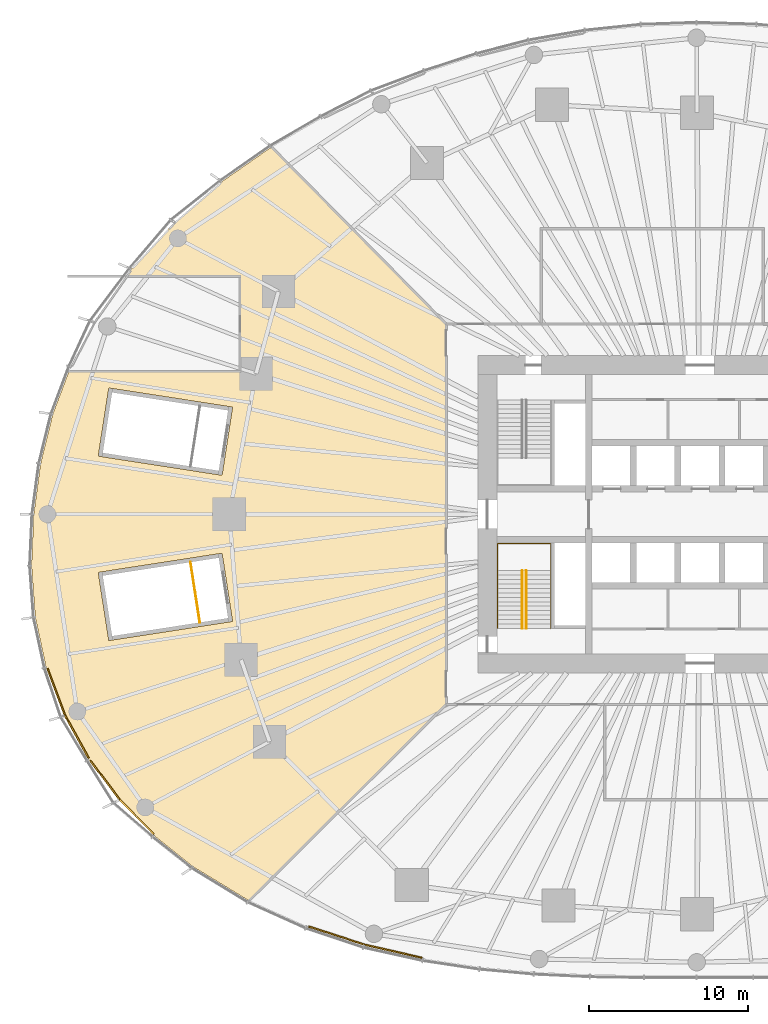
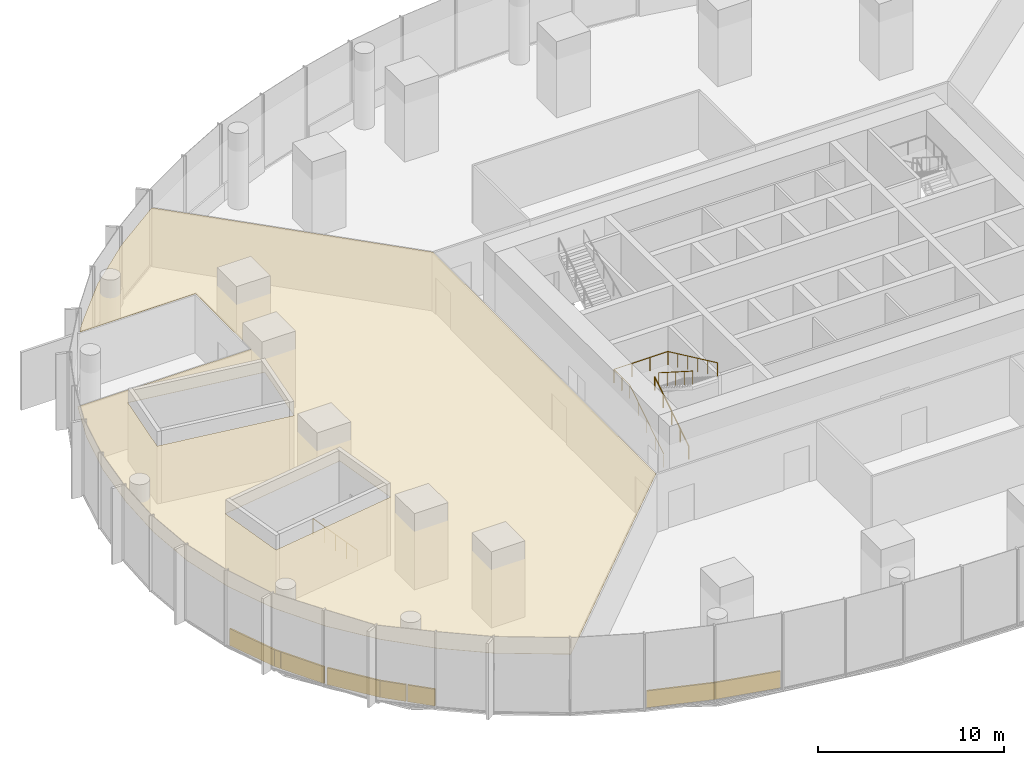
# One storey, part 23 of 27: 9 coverings, 4 railings.
"""IFC4 building model written with IfcOpenShell, lengths in metres."""

from ifc_helpers import new_model, si_unit, direction, frame, origin, origin_2d, place, context, subcontext, project, spatial, polyline, rectangle, circle, outline, extrude, material, layer, layer_set, type_object, element, save


model = new_model("IFC4")

# Units and contexts
model_context = context("Model", 3, precision=1e-05, world=origin(), true_north=direction((0.0, 1.0)))
body_context = subcontext(model_context, "Body", "Model", "MODEL_VIEW")
ifc_project = project(units=[si_unit("LENGTHUNIT", "METRE"), si_unit("AREAUNIT", "SQUARE_METRE"), si_unit("VOLUMEUNIT", "CUBIC_METRE"), si_unit("PLANEANGLEUNIT", "RADIAN"), si_unit("MASSUNIT", "GRAM", prefix="KILO")], contexts=[model_context])

# Site, building, storey
site_placement = place(None, origin())
site = spatial("IfcSite", under=ifc_project, at=site_placement, CompositionType="ELEMENT")
building_placement = place(site_placement, origin())
building = spatial("IfcBuilding", under=site, at=building_placement, Name="Ghaith Harvest Tower", CompositionType="ELEMENT")
storey_placement = place(building_placement, frame((0.0, 0.0, 10.0)))
storey = spatial("IfcBuildingStorey", under=building, at=storey_placement, Name="L02", CompositionType="ELEMENT", Elevation=10.0)

# Covering
ifc_material_1 = material(Name="Mineral fibre ceiling tile", Category="gypsum")
ifc_layer_1 = layer(ifc_material_1, 0.014892578125)
ifc_layer_set_1 = layer_set([ifc_layer_1], Name="CEILING C3")
covering_type_1 = type_object("IfcCoveringType", Name="CEILING C3", PredefinedType="CEILING", material=ifc_layer_set_1)
covering_1_placement = place(storey_placement, frame((0.0, 0.0, 3.800048828125)))
element("IfcCovering", 1, at=covering_1_placement, inside=storey, type_object=covering_type_1, Name="Ceiling L02-W1", PredefinedType="CEILING", context=body_context, shape_type="SweptSolid", body=[
    extrude(outline(polyline([(-31.94921875, -22.230712890625), (-34.4013671875, -20.279296875), (-36.622314453125, -18.0263671875), (-38.5380859375, -15.489013671875), (-40.082763671875, -12.702880859375), (-41.22509765625, -9.660400390625), (-41.908203125, -6.48193359375), (-42.145751953125, -3.239990234375), (-42.0, 0.0), (-41.57275390625, 3.196044921875), (-40.8056640625, 6.311279296875), (-39.79150390625, 9.0), (-29.0, 9.0), (-29.0, 15.0), (-36.185302734375, 15.0), (-38.212890625, 12.1103515625), (-35.857421875, 15.46728515625), (-33.12451171875, 18.423095703125), (-30.145751953125, 20.9755859375), (-27.0146484375, 23.16162109375), (-16.0, 12.0), (-16.0, -12.0), (-28.427978515625, -24.373291015625), (-31.94921875, -22.230712890625)]), holes=[polyline([(-37.2705078125, 7.96533203125), (-37.935302734375, 3.66650390625), (-30.128173828125, 2.458984375), (-29.46337890625, 6.7578125), (-37.2705078125, 7.96533203125)]), polyline([(-30.128173828125, -2.458984375), (-37.935302734375, -3.66650390625), (-37.2705078125, -7.96533203125), (-29.46337890625, -6.7578125), (-30.128173828125, -2.458984375)])]), origin(), (0.0, 0.0, 1.0), 0.014892578125),
])

# Railings
ifc_material_2 = material(Name="Steel, black powder-coated", Category="steel")
railing_type_1 = type_object("IfcRailingType", Name="GUARD GR1", PredefinedType="GUARDRAIL", material=ifc_material_2)
railing_1_placement = place(storey_placement, frame((-32.115966796875, -3.019287109375, 0.0)))
element("IfcRailing", 2, at=railing_1_placement, inside=storey, type_object=railing_type_1, Name="Guard GR1 at the top landing of stair PS3", PredefinedType="GUARDRAIL", context=body_context, shape_type="SweptSolid", body=[
    extrude(circle(Radius=0.02392578125, at=origin_2d()), frame((0.0, 0.0, 1.076171875), z_axis=(0.152881461105, -0.988244533934, 0.0), x_axis=(0.988244533934, 0.152881461105, 0.0)), (0.0, 0.0, 1.0), 3.85009765625),
    extrude(circle(Radius=0.02099609375, at=origin_2d()), origin(), (0.0, 0.0, 1.0), 1.052001953125),
    extrude(circle(Radius=0.02099609375, at=origin_2d()), frame((0.147216796875, -0.951171875, 0.0)), (0.0, 0.0, 1.0), 1.052001953125),
    extrude(circle(Radius=0.02099609375, at=origin_2d()), frame((0.29443359375, -1.90234375, 0.0)), (0.0, 0.0, 1.0), 1.052001953125),
    extrude(circle(Radius=0.02099609375, at=origin_2d()), frame((0.44140625, -2.853759765625, 0.0)), (0.0, 0.0, 1.0), 1.052001953125),
    extrude(circle(Radius=0.02099609375, at=origin_2d()), frame((0.588623046875, -3.804931640625, 0.0)), (0.0, 0.0, 1.0), 1.052001953125),
])
ifc_material_3 = material(Name="Steel, black powder-coated", Category="steel")
railing_type_2 = type_object("IfcRailingType", Name="HANDRAIL HR1", PredefinedType="HANDRAIL", material=ifc_material_3)
railing_2_placement = place(storey_placement, frame((-11.199951171875, -7.199951171875, 0.178466796875)))
element("IfcRailing", 3, at=railing_2_placement, inside=storey, type_object=railing_type_2, Name="Handrail HR1 stair ST3 L02 flight 1 inner", PredefinedType="HANDRAIL", context=body_context, shape_type="SweptSolid", body=[
    extrude(circle(Radius=0.02392578125, at=origin_2d()), frame((0.0, 0.0, 0.8759765625), z_axis=(0.0, 0.843111507901, 0.53773877045), x_axis=(-1.0, 0.0, 0.0)), (0.0, 0.0, 1.0), 4.317138671875),
    extrude(circle(Radius=0.02099609375, at=origin_2d()), origin(), (0.0, 0.0, 1.0), 0.851806640625),
    extrude(circle(Radius=0.02099609375, at=origin_2d()), frame((0.0, 0.909912109375, 0.580322265625)), (0.0, 0.0, 1.0), 0.851806640625),
    extrude(circle(Radius=0.02099609375, at=origin_2d()), frame((0.0, 1.81982421875, 1.16064453125)), (0.0, 0.0, 1.0), 0.851806640625),
    extrude(circle(Radius=0.02099609375, at=origin_2d()), frame((0.0, 2.72998046875, 1.7412109375)), (0.0, 0.0, 1.0), 0.851806640625),
    extrude(circle(Radius=0.02099609375, at=origin_2d()), frame((0.0, 3.639892578125, 2.321533203125)), (0.0, 0.0, 1.0), 0.851806640625),
])
railing_3_placement = place(storey_placement, frame((-10.949951171875, -3.56005859375, 2.678466796875)))
element("IfcRailing", 4, at=railing_3_placement, inside=storey, type_object=railing_type_2, Name="Handrail HR1 stair ST3 L02 flight 2 inner", PredefinedType="HANDRAIL", context=body_context, shape_type="SweptSolid", body=[
    extrude(circle(Radius=0.02392578125, at=origin_2d()), frame((0.0, 0.0, 0.8759765625), z_axis=(0.0, -0.843111507901, 0.53773877045), x_axis=(1.0, 0.0, 0.0)), (0.0, 0.0, 1.0), 4.317138671875),
    extrude(circle(Radius=0.02099609375, at=origin_2d()), origin(), (0.0, 0.0, 1.0), 0.851806640625),
    extrude(circle(Radius=0.02099609375, at=origin_2d()), frame((0.0, -0.909912109375, 0.580322265625)), (0.0, 0.0, 1.0), 0.851806640625),
    extrude(circle(Radius=0.02099609375, at=origin_2d()), frame((0.0, -1.81982421875, 1.16064453125)), (0.0, 0.0, 1.0), 0.851806640625),
    extrude(circle(Radius=0.02099609375, at=origin_2d()), frame((0.0, -2.72998046875, 1.7412109375)), (0.0, 0.0, 1.0), 0.851806640625),
    extrude(circle(Radius=0.02099609375, at=origin_2d()), frame((0.0, -3.639892578125, 2.321533203125)), (0.0, 0.0, 1.0), 0.851806640625),
])
railing_4_placement = place(storey_placement, frame((-12.75, -7.199951171875, 0.178466796875)))
element("IfcRailing", 5, at=railing_4_placement, inside=storey, type_object=railing_type_2, Name="Handrail HR1 stair ST3 L02 wall side", PredefinedType="HANDRAIL", context=body_context, shape_type="SweptSolid", body=[
    extrude(circle(Radius=0.02392578125, at=origin_2d()), frame((0.0, 0.0, 0.8759765625), z_axis=(0.0, 0.843111507901, 0.53773877045), x_axis=(-1.0, 0.0, 0.0)), (0.0, 0.0, 1.0), 4.317138671875),
    extrude(circle(Radius=0.02392578125, at=origin_2d()), frame((0.0, 3.639892578125, 3.197265625), z_axis=(0.0, 1.0, 0.0), x_axis=(-1.0, 0.0, 0.0)), (0.0, 0.0, 1.0), 1.7099609375),
    extrude(circle(Radius=0.02392578125, at=origin_2d()), frame((0.0, 5.349853515625, 3.197265625), z_axis=(1.0, 0.0, 0.0), x_axis=(0.0, 1.0, 0.0)), (0.0, 0.0, 1.0), 3.35009765625),
    extrude(circle(Radius=0.02392578125, at=origin_2d()), frame((3.35009765625, 5.349853515625, 3.197265625), z_axis=(0.0, -0.905962265858, 0.423358444868), x_axis=(1.0, 0.0, 0.0)), (0.0, 0.0, 1.0), 5.9052734375),
    extrude(circle(Radius=0.02099609375, at=origin_2d()), origin(), (0.0, 0.0, 1.0), 0.851806640625),
    extrude(circle(Radius=0.02099609375, at=origin_2d()), frame((0.0, 0.909912109375, 0.580322265625)), (0.0, 0.0, 1.0), 0.851806640625),
    extrude(circle(Radius=0.02099609375, at=origin_2d()), frame((0.0, 1.81982421875, 1.16064453125)), (0.0, 0.0, 1.0), 0.851806640625),
    extrude(circle(Radius=0.02099609375, at=origin_2d()), frame((0.0, 2.72998046875, 1.7412109375)), (0.0, 0.0, 1.0), 0.851806640625),
    extrude(circle(Radius=0.02099609375, at=origin_2d()), frame((0.0, 3.639892578125, 2.321533203125)), (0.0, 0.0, 1.0), 0.851806640625),
    extrude(circle(Radius=0.02099609375, at=origin_2d()), frame((0.0, 4.494873046875, 2.321533203125)), (0.0, 0.0, 1.0), 0.851806640625),
    extrude(circle(Radius=0.02099609375, at=origin_2d()), frame((0.0, 5.349853515625, 2.321533203125)), (0.0, 0.0, 1.0), 0.851806640625),
    extrude(circle(Radius=0.02099609375, at=origin_2d()), frame((1.11669921875, 5.349853515625, 2.321533203125)), (0.0, 0.0, 1.0), 0.851806640625),
    extrude(circle(Radius=0.02099609375, at=origin_2d()), frame((2.2333984375, 5.349853515625, 2.321533203125)), (0.0, 0.0, 1.0), 0.851806640625),
    extrude(circle(Radius=0.02099609375, at=origin_2d()), frame((3.35009765625, 5.349853515625, 2.321533203125)), (0.0, 0.0, 1.0), 0.851806640625),
    extrude(circle(Radius=0.02099609375, at=origin_2d()), frame((3.35009765625, 4.27978515625, 2.821533203125)), (0.0, 0.0, 1.0), 0.851806640625),
    extrude(circle(Radius=0.02099609375, at=origin_2d()), frame((3.35009765625, 3.2099609375, 3.321533203125)), (0.0, 0.0, 1.0), 0.851806640625),
    extrude(circle(Radius=0.02099609375, at=origin_2d()), frame((3.35009765625, 2.139892578125, 3.821533203125)), (0.0, 0.0, 1.0), 0.851806640625),
    extrude(circle(Radius=0.02099609375, at=origin_2d()), frame((3.35009765625, 1.070068359375, 4.321533203125)), (0.0, 0.0, 1.0), 0.851806640625),
    extrude(circle(Radius=0.02099609375, at=origin_2d()), frame((3.35009765625, 0.0, 4.821533203125)), (0.0, 0.0, 1.0), 0.851806640625),
])

# Coverings
ifc_material_4 = material(Name="Insulated aluminium spandrel panel on steel framing", Category="steel")
ifc_layer_2 = layer(ifc_material_4, 0.10009765625)
ifc_layer_set_2 = layer_set([ifc_layer_2], Name="SLAB EDGE UPSTAND 1100x100")
covering_type_2 = type_object("IfcCoveringType", Name="SLAB EDGE UPSTAND 1100x100", PredefinedType="CLADDING", material=ifc_layer_set_2)
covering_2_placement = place(storey_placement, frame((-40.589599609375, -11.2109375, 0.0), z_axis=(0.0, 0.0, 1.0), x_axis=(0.351505868919, -0.936185678226, 0.0)))
element("IfcCovering", 6, at=covering_2_placement, inside=storey, type_object=covering_type_2, Name="Slab edge upstand 4 bay 11 L02", PredefinedType="CLADDING", context=body_context, shape_type="SweptSolid", body=[
    extrude(rectangle(XDim=3.14990234375, YDim=0.10009765625, at=origin_2d()), origin(), (0.0, 0.0, 1.0), 1.10009765625),
])
covering_3_placement = place(storey_placement, frame((-39.94921875, -12.84033203125, 0.0), z_axis=(0.0, 0.0, 1.0), x_axis=(0.484856289206, -0.874593836485, 0.0)))
element("IfcCovering", 7, at=covering_3_placement, inside=storey, type_object=covering_type_2, Name="Slab edge upstand 1 bay 12 L02", PredefinedType="CLADDING", context=body_context, shape_type="SweptSolid", body=[
    extrude(rectangle(XDim=0.36962890625, YDim=0.10009765625, at=origin_2d()), origin(), (0.0, 0.0, 1.0), 1.10009765625),
])
covering_4_placement = place(storey_placement, frame((-39.19482421875, -14.201416015625, 0.0), z_axis=(0.0, 0.0, 1.0), x_axis=(0.484856289206, -0.874593836485, 0.0)))
element("IfcCovering", 8, at=covering_4_placement, inside=storey, type_object=covering_type_2, Name="Slab edge upstand 1 bay 12 L02", PredefinedType="CLADDING", context=body_context, shape_type="SweptSolid", body=[
    extrude(rectangle(XDim=2.689208984375, YDim=0.10009765625, at=origin_2d()), origin(), (0.0, 0.0, 1.0), 1.10009765625),
])
covering_5_placement = place(storey_placement, frame((-37.51025390625, -16.767333984375, 0.0), z_axis=(0.0, 0.0, 1.0), x_axis=(0.602577245128, -0.798060563901, 0.0)))
element("IfcCovering", 9, at=covering_5_placement, inside=storey, type_object=covering_type_2, Name="Slab edge upstand 2 bay 12 L02", PredefinedType="CLADDING", context=body_context, shape_type="SweptSolid", body=[
    extrude(rectangle(XDim=3.079345703125, YDim=0.10009765625, at=origin_2d()), origin(), (0.0, 0.0, 1.0), 1.10009765625),
])
covering_6_placement = place(storey_placement, frame((-36.07861328125, -18.506591796875, 0.0), z_axis=(0.0, 0.0, 1.0), x_axis=(0.702023932674, -0.712153352834, 0.0)))
element("IfcCovering", 10, at=covering_6_placement, inside=storey, type_object=covering_type_2, Name="Slab edge upstand 3 bay 12 L02", PredefinedType="CLADDING", context=body_context, shape_type="SweptSolid", body=[
    extrude(rectangle(XDim=1.447509765625, YDim=0.10009765625, at=origin_2d()), origin(), (0.0, 0.0, 1.0), 1.10009765625),
])
covering_7_placement = place(storey_placement, frame((-34.9736328125, -19.62744140625, 0.0), z_axis=(0.0, 0.0, 1.0), x_axis=(0.702023932674, -0.712153352834, 0.0)))
element("IfcCovering", 11, at=covering_7_placement, inside=storey, type_object=covering_type_2, Name="Slab edge upstand 3 bay 12 L02", PredefinedType="CLADDING", context=body_context, shape_type="SweptSolid", body=[
    extrude(rectangle(XDim=1.53173828125, YDim=0.10009765625, at=origin_2d()), origin(), (0.0, 0.0, 1.0), 1.10009765625),
])
covering_8_placement = place(storey_placement, frame((-22.88818359375, -26.572021484375, 0.0), z_axis=(0.0, 0.0, 1.0), x_axis=(0.95084312878, -0.309672963709, 0.0)))
element("IfcCovering", 12, at=covering_8_placement, inside=storey, type_object=covering_type_2, Name="Slab edge upstand 3 bay 13 L02", PredefinedType="CLADDING", context=body_context, shape_type="SweptSolid", body=[
    extrude(rectangle(XDim=3.743896484375, YDim=0.10009765625, at=origin_2d()), origin(), (0.0, 0.0, 1.0), 1.10009765625),
])
covering_9_placement = place(storey_placement, frame((-19.307861328125, -27.561767578125, 0.0), z_axis=(0.0, 0.0, 1.0), x_axis=(0.974987660425, -0.22225899761, 0.0)))
element("IfcCovering", 13, at=covering_9_placement, inside=storey, type_object=covering_type_2, Name="Slab edge upstand 1 bay 14 L02", PredefinedType="CLADDING", context=body_context, shape_type="SweptSolid", body=[
    extrude(rectangle(XDim=3.7021484375, YDim=0.10009765625, at=origin_2d()), origin(), (0.0, 0.0, 1.0), 1.10009765625),
])

save(model, "model.ifc")
